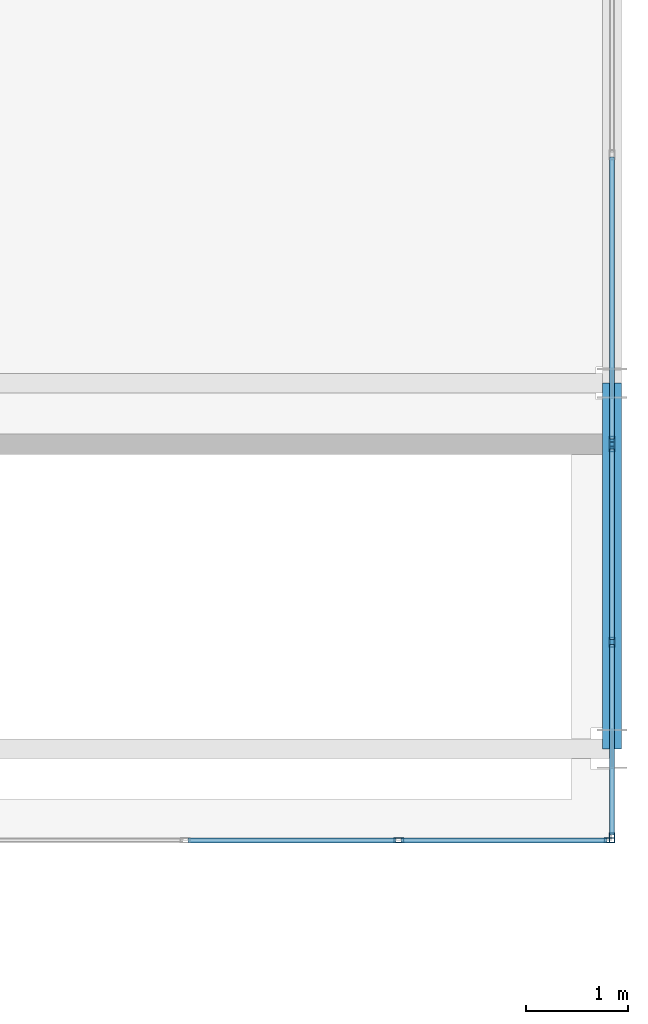
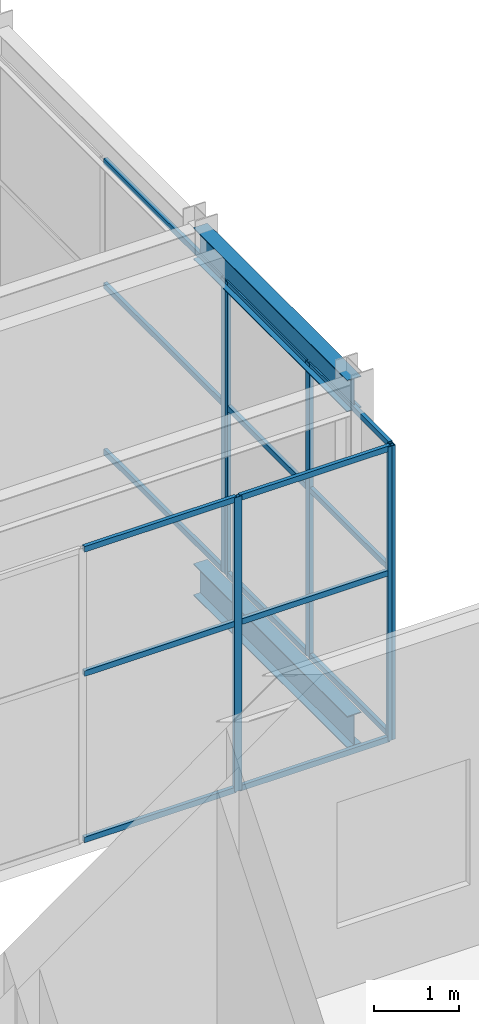
# One storey, part 105 of 167: 21 members, 2 beams, 3 elements without a shape of their own.
"""IFC4 building model written with IfcOpenShell, lengths in metres."""

from ifc_helpers import new_model, si_unit, direction, frame, origin, origin_2d, place, context, subcontext, project, spatial, hollow_rectangle, i_section, extrude, material, material_profile, profile_set, type_object, element, aggregate, save


model = new_model("IFC4")

# Units and contexts
model_context = context("Model", 3, precision=1e-05, world=origin(), true_north=direction((0.0, 1.0)))
body_context = subcontext(model_context, "Body", "Model", "MODEL_VIEW")
ifc_project = project(units=[si_unit("LENGTHUNIT", "METRE"), si_unit("AREAUNIT", "SQUARE_METRE"), si_unit("VOLUMEUNIT", "CUBIC_METRE"), si_unit("PLANEANGLEUNIT", "RADIAN"), si_unit("MASSUNIT", "GRAM", prefix="KILO")], contexts=[model_context])

# Site, building, storey
site_placement = place(None, origin())
site = spatial("IfcSite", under=ifc_project, at=site_placement, CompositionType="ELEMENT")
building_placement = place(site_placement, origin())
building = spatial("IfcBuilding", under=site, at=building_placement, Name="Catenary Quay Ferry Terminal", CompositionType="ELEMENT")
storey_placement = place(building_placement, frame((0.0, 0.0, 6.0)))
storey = spatial("IfcBuildingStorey", under=building, at=storey_placement, Name="L01", CompositionType="ELEMENT", Elevation=6.0)

# Beams
ifc_material_1 = material(Name="Steel S355", Category="steel")
ifc_material_profile_1 = material_profile(ifc_material_1, i_section(OverallWidth=0.18994140625, OverallDepth=0.453369140625, WebThickness=0.008544921875, FlangeThickness=0.0126953125, at=origin_2d()), Name="UB 457x191x67")
ifc_profile_set_1 = profile_set([ifc_material_profile_1], Name="Steel S355")
beam_type = type_object("IfcBeamType", Name="B1 UB 457x191x67", PredefinedType="BEAM", material=ifc_profile_set_1)
for number, where, z_axis, x_axis, name in (
    (1, (134.39990234375, 86.39990234375, 4.373046875), (0.0, 1.0, 0.0), (-1.0, 0.0, 0.0), "Beam B1-050"),
    (2, (134.39990234375, 86.39990234375, -0.427001953125), (0.0, 1.0, 0.0), (-1.0, 0.0, 0.0), "Beam B1-079"),
):
    element("IfcBeam", number, at=place(storey_placement, frame(where, z_axis=z_axis, x_axis=x_axis)), inside=storey, type_object=beam_type, Name=name, PredefinedType="BEAM", context=body_context, shape_type="SweptSolid", body=[
        extrude(i_section(OverallWidth=0.18994140625, OverallDepth=0.453369140625, WebThickness=0.008544921875, FlangeThickness=0.0126953125, at=origin_2d()), origin(), (0.0, 0.0, 1.0), 3.60009765625),
    ])

# Curtain wall, members
ifc_material_2 = material(Name="Aluminium and glass", Category="aluminium")
curtain_wall_type = type_object("IfcCurtainWallType", Name="CWK", PredefinedType="NOTDEFINED", material=ifc_material_2)
curtain_wall_1_placement = place(storey_placement, origin())
curtain_wall_1 = element("IfcCurtainWall", 3, at=curtain_wall_1_placement, inside=storey, type_object=curtain_wall_type, Name="Head berth 2 stair curtain wall CW88", PredefinedType="NOTDEFINED")
ifc_material_3 = material(Name="Aluminium", Category="aluminium")
ifc_material_profile_2 = material_profile(ifc_material_3, hollow_rectangle(XDim=0.050048828125, YDim=0.10009765625, WallThickness=0.0048828125, at=origin_2d()), Name="MU1")
ifc_profile_set_2 = profile_set([ifc_material_profile_2], Name="Aluminium")
member_type_1 = type_object("IfcMemberType", Name="MU1", PredefinedType="MULLION", material=ifc_profile_set_2)
member_1_placement = place(storey_placement, frame((132.300048828125, 85.5, 0.0), z_axis=(0.0, 0.0, 1.0), x_axis=(0.0, 1.0, 0.0)))
member_1 = element("IfcMember", 4, at=member_1_placement, type_object=member_type_1, Name="CW88 mullion 4", PredefinedType="MULLION", context=body_context, shape_type="SweptSolid", body=[
    extrude(hollow_rectangle(XDim=0.050048828125, YDim=0.10009765625, WallThickness=0.0048828125, at=origin_2d()), origin(), (0.0, 0.0, 1.0), 4.199951171875),
])
member_2_placement = place(storey_placement, frame((134.375, 85.5, 0.0), z_axis=(0.0, 0.0, 1.0), x_axis=(0.0, 1.0, 0.0)))
member_2 = element("IfcMember", 5, at=member_2_placement, type_object=member_type_1, Name="CW88 mullion 5", PredefinedType="MULLION", context=body_context, shape_type="SweptSolid", body=[
    extrude(hollow_rectangle(XDim=0.050048828125, YDim=0.10009765625, WallThickness=0.0048828125, at=origin_2d()), origin(), (0.0, 0.0, 1.0), 4.199951171875),
])

curtain_wall_2_placement = place(storey_placement, origin())
curtain_wall_2 = element("IfcCurtainWall", 6, at=curtain_wall_2_placement, inside=storey, type_object=curtain_wall_type, Name="Head berth 2 stair curtain wall CW89", PredefinedType="NOTDEFINED")
member_3_placement = place(storey_placement, frame((134.39990234375, 85.52490234375, 0.0), z_axis=(0.0, 0.0, 1.0), x_axis=(-1.0, 0.0, 0.0)))
member_3 = element("IfcMember", 7, at=member_3_placement, type_object=member_type_1, Name="CW89 mullion 1", PredefinedType="MULLION", context=body_context, shape_type="SweptSolid", body=[
    extrude(hollow_rectangle(XDim=0.050048828125, YDim=0.10009765625, WallThickness=0.0048828125, at=origin_2d()), origin(), (0.0, 0.0, 1.0), 4.199951171875),
])
member_4_placement = place(storey_placement, frame((134.39990234375, 87.449951171875, 0.0), z_axis=(0.0, 0.0, 1.0), x_axis=(-1.0, 0.0, 0.0)))
member_4 = element("IfcMember", 8, at=member_4_placement, type_object=member_type_1, Name="CW89 mullion 2", PredefinedType="MULLION", context=body_context, shape_type="SweptSolid", body=[
    extrude(hollow_rectangle(XDim=0.050048828125, YDim=0.10009765625, WallThickness=0.0048828125, at=origin_2d()), origin(), (0.0, 0.0, 1.0), 4.199951171875),
])
member_5_placement = place(storey_placement, frame((134.39990234375, 89.375, 0.0), z_axis=(0.0, 0.0, 1.0), x_axis=(-1.0, 0.0, 0.0)))
member_5 = element("IfcMember", 9, at=member_5_placement, type_object=member_type_1, Name="CW89 mullion 3", PredefinedType="MULLION", context=body_context, shape_type="SweptSolid", body=[
    extrude(hollow_rectangle(XDim=0.050048828125, YDim=0.10009765625, WallThickness=0.0048828125, at=origin_2d()), origin(), (0.0, 0.0, 1.0), 4.199951171875),
])

# Curtain wall, member
curtain_wall_3_placement = place(storey_placement, origin())
curtain_wall_3 = element("IfcCurtainWall", 10, at=curtain_wall_3_placement, inside=storey, type_object=curtain_wall_type, Name="Head berth 2 landing curtain wall CW91", PredefinedType="NOTDEFINED")
member_6_placement = place(storey_placement, frame((134.39990234375, 89.425048828125, 0.0), z_axis=(0.0, 0.0, 1.0), x_axis=(-1.0, 0.0, 0.0)))
member_6 = element("IfcMember", 11, at=member_6_placement, type_object=member_type_1, Name="CW91 mullion 1", PredefinedType="MULLION", context=body_context, shape_type="SweptSolid", body=[
    extrude(hollow_rectangle(XDim=0.050048828125, YDim=0.10009765625, WallThickness=0.0048828125, at=origin_2d()), origin(), (0.0, 0.0, 1.0), 4.199951171875),
])

# Member
ifc_material_4 = material(Name="Aluminium", Category="aluminium")
ifc_material_profile_3 = material_profile(ifc_material_4, hollow_rectangle(XDim=0.050048828125, YDim=0.080078125, WallThickness=0.00390625, at=origin_2d()), Name="TR1")
ifc_profile_set_3 = profile_set([ifc_material_profile_3], Name="Aluminium")
member_type_2 = type_object("IfcMemberType", Name="TR1", PredefinedType="USERDEFINED", material=ifc_profile_set_3)
member_7_placement = place(storey_placement, frame((130.22509765625, 85.5, 0.02490234375), z_axis=(1.0, 0.0, 0.0), x_axis=(0.0, 1.0, 0.0)))
member_7 = element("IfcMember", 12, at=member_7_placement, type_object=member_type_2, Name="CW88 transom 3.1", ObjectType="TRANSOM", PredefinedType="USERDEFINED", context=body_context, shape_type="SweptSolid", body=[
    extrude(hollow_rectangle(XDim=0.050048828125, YDim=0.080078125, WallThickness=0.00390625, at=origin_2d()), origin(), (0.0, 0.0, 1.0), 2.0498046875),
])

member_8_placement = place(storey_placement, frame((130.22509765625, 85.5, 2.39990234375), z_axis=(1.0, 0.0, 0.0), x_axis=(0.0, 1.0, 0.0)))
member_8 = element("IfcMember", 13, at=member_8_placement, type_object=member_type_2, Name="CW88 transom 3.2", ObjectType="TRANSOM", PredefinedType="USERDEFINED", context=body_context, shape_type="SweptSolid", body=[
    extrude(hollow_rectangle(XDim=0.050048828125, YDim=0.080078125, WallThickness=0.00390625, at=origin_2d()), origin(), (0.0, 0.0, 1.0), 2.0498046875),
])

member_9_placement = place(storey_placement, frame((130.22509765625, 85.5, 4.175048828125), z_axis=(1.0, 0.0, 0.0), x_axis=(0.0, 1.0, 0.0)))
member_9 = element("IfcMember", 14, at=member_9_placement, type_object=member_type_2, Name="CW88 transom 3.3", ObjectType="TRANSOM", PredefinedType="USERDEFINED", context=body_context, shape_type="SweptSolid", body=[
    extrude(hollow_rectangle(XDim=0.050048828125, YDim=0.080078125, WallThickness=0.00390625, at=origin_2d()), origin(), (0.0, 0.0, 1.0), 2.0498046875),
])

member_10_placement = place(storey_placement, frame((132.324951171875, 85.5, 0.02490234375), z_axis=(1.0, 0.0, 0.0), x_axis=(0.0, 1.0, 0.0)))
member_10 = element("IfcMember", 15, at=member_10_placement, type_object=member_type_2, Name="CW88 transom 4.1", ObjectType="TRANSOM", PredefinedType="USERDEFINED", context=body_context, shape_type="SweptSolid", body=[
    extrude(hollow_rectangle(XDim=0.050048828125, YDim=0.080078125, WallThickness=0.00390625, at=origin_2d()), origin(), (0.0, 0.0, 1.0), 2.025146484375),
])

member_11_placement = place(storey_placement, frame((132.324951171875, 85.5, 2.39990234375), z_axis=(1.0, 0.0, 0.0), x_axis=(0.0, 1.0, 0.0)))
member_11 = element("IfcMember", 16, at=member_11_placement, type_object=member_type_2, Name="CW88 transom 4.2", ObjectType="TRANSOM", PredefinedType="USERDEFINED", context=body_context, shape_type="SweptSolid", body=[
    extrude(hollow_rectangle(XDim=0.050048828125, YDim=0.080078125, WallThickness=0.00390625, at=origin_2d()), origin(), (0.0, 0.0, 1.0), 2.025146484375),
])

member_12_placement = place(storey_placement, frame((132.324951171875, 85.5, 4.175048828125), z_axis=(1.0, 0.0, 0.0), x_axis=(0.0, 1.0, 0.0)))
member_12 = element("IfcMember", 17, at=member_12_placement, type_object=member_type_2, Name="CW88 transom 4.3", ObjectType="TRANSOM", PredefinedType="USERDEFINED", context=body_context, shape_type="SweptSolid", body=[
    extrude(hollow_rectangle(XDim=0.050048828125, YDim=0.080078125, WallThickness=0.00390625, at=origin_2d()), origin(), (0.0, 0.0, 1.0), 2.025146484375),
])

aggregate(curtain_wall_1, [member_1, member_2, member_7, member_8, member_9, member_10, member_11, member_12])

member_13_placement = place(storey_placement, frame((134.39990234375, 85.550048828125, 0.02490234375), z_axis=(0.0, 1.0, 0.0), x_axis=(-1.0, 0.0, 0.0)))
member_13 = element("IfcMember", 18, at=member_13_placement, type_object=member_type_2, Name="CW89 transom 1.1", ObjectType="TRANSOM", PredefinedType="USERDEFINED", context=body_context, shape_type="SweptSolid", body=[
    extrude(hollow_rectangle(XDim=0.050048828125, YDim=0.080078125, WallThickness=0.00390625, at=origin_2d()), origin(), (0.0, 0.0, 1.0), 1.875),
])

member_14_placement = place(storey_placement, frame((134.39990234375, 85.550048828125, 2.39990234375), z_axis=(0.0, 1.0, 0.0), x_axis=(-1.0, 0.0, 0.0)))
member_14 = element("IfcMember", 19, at=member_14_placement, type_object=member_type_2, Name="CW89 transom 1.2", ObjectType="TRANSOM", PredefinedType="USERDEFINED", context=body_context, shape_type="SweptSolid", body=[
    extrude(hollow_rectangle(XDim=0.050048828125, YDim=0.080078125, WallThickness=0.00390625, at=origin_2d()), origin(), (0.0, 0.0, 1.0), 1.875),
])

member_15_placement = place(storey_placement, frame((134.39990234375, 85.550048828125, 4.175048828125), z_axis=(0.0, 1.0, 0.0), x_axis=(-1.0, 0.0, 0.0)))
member_15 = element("IfcMember", 20, at=member_15_placement, type_object=member_type_2, Name="CW89 transom 1.3", ObjectType="TRANSOM", PredefinedType="USERDEFINED", context=body_context, shape_type="SweptSolid", body=[
    extrude(hollow_rectangle(XDim=0.050048828125, YDim=0.080078125, WallThickness=0.00390625, at=origin_2d()), origin(), (0.0, 0.0, 1.0), 1.875),
])

member_16_placement = place(storey_placement, frame((134.39990234375, 87.47509765625, 0.02490234375), z_axis=(0.0, 1.0, 0.0), x_axis=(-1.0, 0.0, 0.0)))
member_16 = element("IfcMember", 21, at=member_16_placement, type_object=member_type_2, Name="CW89 transom 2.1", ObjectType="TRANSOM", PredefinedType="USERDEFINED", context=body_context, shape_type="SweptSolid", body=[
    extrude(hollow_rectangle(XDim=0.050048828125, YDim=0.080078125, WallThickness=0.00390625, at=origin_2d()), origin(), (0.0, 0.0, 1.0), 1.875),
])

member_17_placement = place(storey_placement, frame((134.39990234375, 87.47509765625, 2.39990234375), z_axis=(0.0, 1.0, 0.0), x_axis=(-1.0, 0.0, 0.0)))
member_17 = element("IfcMember", 22, at=member_17_placement, type_object=member_type_2, Name="CW89 transom 2.2", ObjectType="TRANSOM", PredefinedType="USERDEFINED", context=body_context, shape_type="SweptSolid", body=[
    extrude(hollow_rectangle(XDim=0.050048828125, YDim=0.080078125, WallThickness=0.00390625, at=origin_2d()), origin(), (0.0, 0.0, 1.0), 1.875),
])

member_18_placement = place(storey_placement, frame((134.39990234375, 87.47509765625, 4.175048828125), z_axis=(0.0, 1.0, 0.0), x_axis=(-1.0, 0.0, 0.0)))
member_18 = element("IfcMember", 23, at=member_18_placement, type_object=member_type_2, Name="CW89 transom 2.3", ObjectType="TRANSOM", PredefinedType="USERDEFINED", context=body_context, shape_type="SweptSolid", body=[
    extrude(hollow_rectangle(XDim=0.050048828125, YDim=0.080078125, WallThickness=0.00390625, at=origin_2d()), origin(), (0.0, 0.0, 1.0), 1.875),
])

aggregate(curtain_wall_2, [member_3, member_4, member_5, member_13, member_14, member_15, member_16, member_17, member_18])

member_19_placement = place(storey_placement, frame((134.39990234375, 89.449951171875, 0.02490234375), z_axis=(0.0, 1.0, 0.0), x_axis=(-1.0, 0.0, 0.0)))
member_19 = element("IfcMember", 24, at=member_19_placement, type_object=member_type_2, Name="CW91 transom 1.1", ObjectType="TRANSOM", PredefinedType="USERDEFINED", context=body_context, shape_type="SweptSolid", body=[
    extrude(hollow_rectangle(XDim=0.050048828125, YDim=0.080078125, WallThickness=0.00390625, at=origin_2d()), origin(), (0.0, 0.0, 1.0), 2.775146484375),
])

member_20_placement = place(storey_placement, frame((134.39990234375, 89.449951171875, 2.39990234375), z_axis=(0.0, 1.0, 0.0), x_axis=(-1.0, 0.0, 0.0)))
member_20 = element("IfcMember", 25, at=member_20_placement, type_object=member_type_2, Name="CW91 transom 1.2", ObjectType="TRANSOM", PredefinedType="USERDEFINED", context=body_context, shape_type="SweptSolid", body=[
    extrude(hollow_rectangle(XDim=0.050048828125, YDim=0.080078125, WallThickness=0.00390625, at=origin_2d()), origin(), (0.0, 0.0, 1.0), 2.775146484375),
])

member_21_placement = place(storey_placement, frame((134.39990234375, 89.449951171875, 4.175048828125), z_axis=(0.0, 1.0, 0.0), x_axis=(-1.0, 0.0, 0.0)))
member_21 = element("IfcMember", 26, at=member_21_placement, type_object=member_type_2, Name="CW91 transom 1.3", ObjectType="TRANSOM", PredefinedType="USERDEFINED", context=body_context, shape_type="SweptSolid", body=[
    extrude(hollow_rectangle(XDim=0.050048828125, YDim=0.080078125, WallThickness=0.00390625, at=origin_2d()), origin(), (0.0, 0.0, 1.0), 2.775146484375),
])

aggregate(curtain_wall_3, [member_6, member_19, member_20, member_21])

save(model, "model.ifc")
